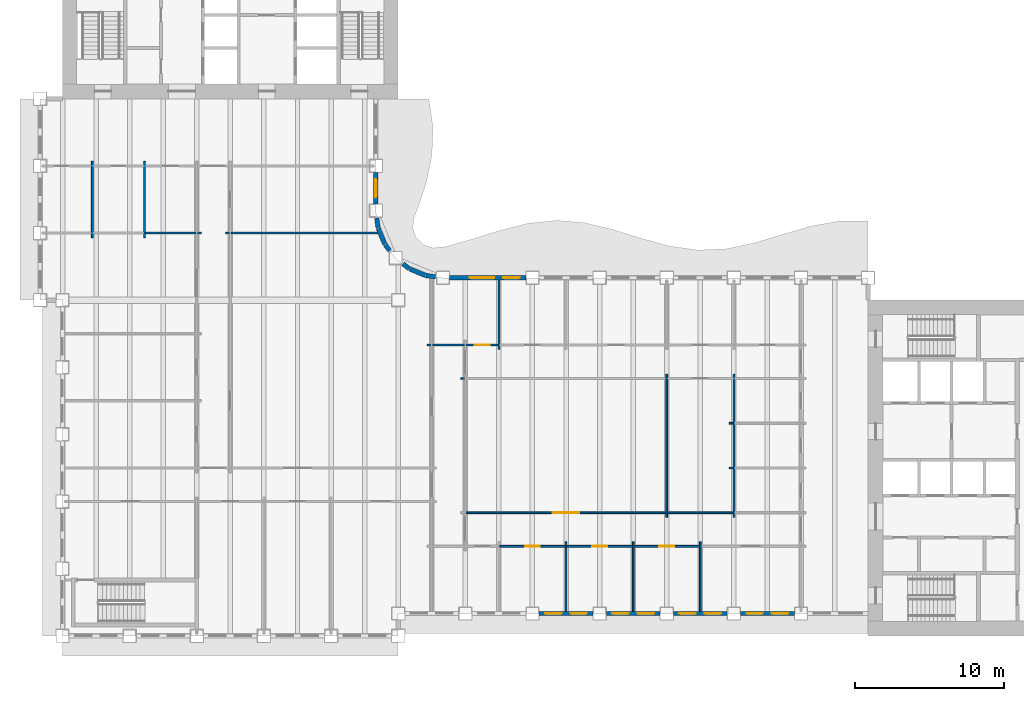
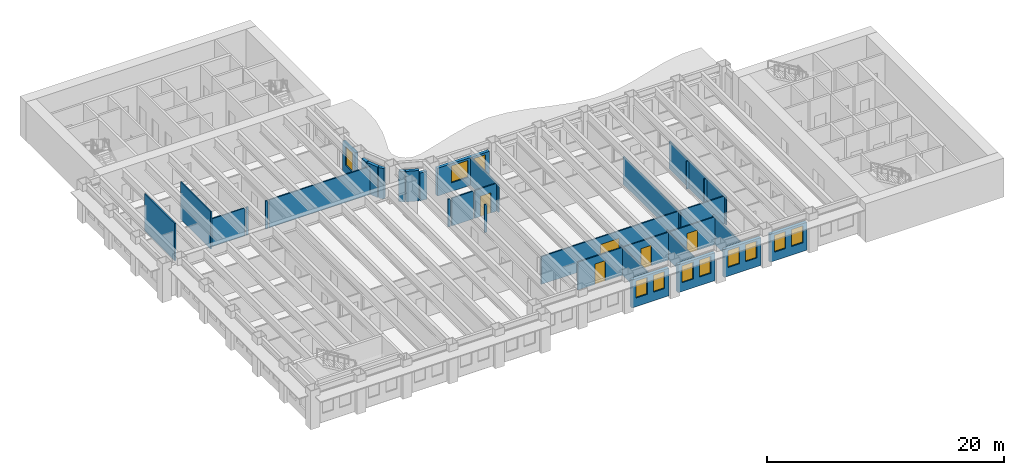
# One storey, part 5 of 16: 35 walls, 11 windows, 5 doors, 16 openings.
"""IFC4 building model written with IfcOpenShell, lengths in metres."""

from ifc_helpers import new_model, si_unit, direction, frame, frame_2d, origin, place, context, subcontext, project, spatial, rectangle, extrude, material, layer, layer_set, type_object, element, fill, save


model = new_model("IFC4")

# Units and contexts
model_context = context("Model", 3, precision=1e-05, world=origin(), true_north=direction((0.0, 1.0)))
body_context = subcontext(model_context, "Body", "Model", "MODEL_VIEW")
ifc_project = project(units=[si_unit("LENGTHUNIT", "METRE"), si_unit("AREAUNIT", "SQUARE_METRE"), si_unit("VOLUMEUNIT", "CUBIC_METRE"), si_unit("PLANEANGLEUNIT", "RADIAN"), si_unit("MASSUNIT", "GRAM", prefix="KILO")], contexts=[model_context])

# Site, building, storey
site_placement = place(None, origin())
site = spatial("IfcSite", under=ifc_project, at=site_placement, CompositionType="ELEMENT")
building_placement = place(site_placement, origin())
building = spatial("IfcBuilding", under=site, at=building_placement, Name="Sennacour Bend Tower", CompositionType="ELEMENT")
storey_placement = place(building_placement, frame((0.0, 0.0, 159.0)))
storey = spatial("IfcBuildingStorey", under=building, at=storey_placement, Name="L36", CompositionType="ELEMENT", Elevation=159.0)

# Walls
ifc_material_1 = material(Name="Plasterboard partition on steel studs", Category="steel")
ifc_layer_1 = layer(ifc_material_1, 0.1201171875, Name="Plasterboard partition on steel studs", Category="steel")
ifc_layer_set_1 = layer_set([ifc_layer_1], Name="Plasterboard partition on steel studs")
wall_type_1 = type_object("IfcWallType", Name="Partition 120", PredefinedType="PARTITIONING", material=ifc_layer_set_1)
for number, where, z_axis, x_axis, name in (
    (1, (2.0, 26.699951171875, 0.0), (0.0, 0.0, 1.0), (0.0, 1.0, 0.0), "P-L36-W004a"),
    (2, (5.5, 26.699951171875, 0.0), (0.0, 0.0, 1.0), (0.0, 1.0, 0.0), "P-L36-W007a"),
):
    element("IfcWall", number, at=place(storey_placement, frame(where, z_axis=z_axis, x_axis=x_axis)), inside=storey, type_object=wall_type_1, Name=name, PredefinedType="PARTITIONING", context=body_context, shape_type="SweptSolid", body=[
        extrude(rectangle(XDim=5.10009765625, YDim=0.1201171875, at=frame_2d((2.550048828125, 0.0))), origin(), (0.0, 0.0, 1.0), 3.85009765625),
    ])
for number, where, z_axis, x_axis, name in (
    (3, (29.25, 19.199951171875, 0.0), (0.0, 0.0, 1.0), (0.0, 1.0, 0.0), "P-L36-W027a"),
    (4, (33.75, 1.64990234375, 0.0), (0.0, 0.0, 1.0), (0.0, 1.0, 0.0), "P-L36-W028a"),
    (5, (38.25, 1.64990234375, 0.0), (0.0, 0.0, 1.0), (0.0, 1.0, 0.0), "P-L36-W030a"),
):
    element("IfcWall", number, at=place(storey_placement, frame(where, z_axis=z_axis, x_axis=x_axis)), inside=storey, type_object=wall_type_1, Name=name, PredefinedType="PARTITIONING", context=body_context, shape_type="SweptSolid", body=[
        extrude(rectangle(XDim=4.650146484375, YDim=0.1201171875, at=frame_2d((2.3251953125, 0.0))), origin(), (0.0, 0.0, 1.0), 2.8701171875),
    ])
wall_1_placement = place(storey_placement, frame((40.5, 7.949951171875, 0.0), z_axis=(0.0, 0.0, 1.0), x_axis=(0.0, 1.0, 0.0)))
element("IfcWall", 6, at=wall_1_placement, inside=storey, type_object=wall_type_1, Name="P-L36-W031a", PredefinedType="PARTITIONING", context=body_context, shape_type="SweptSolid", body=[
    extrude(rectangle(XDim=9.60009765625, YDim=0.1201171875, at=frame_2d((4.800048828125, 0.0))), origin(), (0.0, 0.0, 1.0), 2.8701171875),
])
wall_2_placement = place(storey_placement, frame((42.75, 1.64990234375, 0.0), z_axis=(0.0, 0.0, 1.0), x_axis=(0.0, 1.0, 0.0)))
element("IfcWall", 7, at=wall_2_placement, inside=storey, type_object=wall_type_1, Name="P-L36-W033a", PredefinedType="PARTITIONING", context=body_context, shape_type="SweptSolid", body=[
    extrude(rectangle(XDim=4.650146484375, YDim=0.1201171875, at=frame_2d((2.3251953125, 0.0))), origin(), (0.0, 0.0, 1.0), 2.8701171875),
])
wall_3_placement = place(storey_placement, frame((45.0, 7.949951171875, 0.0), z_axis=(0.0, 0.0, 1.0), x_axis=(0.0, 1.0, 0.0)))
element("IfcWall", 8, at=wall_3_placement, inside=storey, type_object=wall_type_1, Name="P-L36-W034a", PredefinedType="PARTITIONING", context=body_context, shape_type="SweptSolid", body=[
    extrude(rectangle(XDim=9.60009765625, YDim=0.1201171875, at=frame_2d((4.800048828125, 0.0))), origin(), (0.0, 0.0, 1.0), 2.8701171875),
])

# Wall, opening, door
wall_4_placement = place(storey_placement, frame((29.31005859375, 6.0, 0.0), z_axis=(0.0, 0.0, 1.0), x_axis=(1.0, 0.0, 0.0)))
wall_4 = element("IfcWall", 9, at=wall_4_placement, inside=storey, type_object=wall_type_1, Name="P-L36-W058ad", PredefinedType="PARTITIONING", context=body_context, shape_type="SweptSolid", body=[
    extrude(rectangle(XDim=4.3798828125, YDim=0.1201171875, at=frame_2d((2.18994140625, 0.0))), origin(), (0.0, 0.0, 1.0), 2.8701171875),
])
opening_1_placement = place(wall_4_placement, frame((1.68994140625, 0.0, 0.0)))
opening_1 = element("IfcOpeningElement", 10, at=opening_1_placement, cuts=wall_4, Name="Opening OD2", PredefinedType="OPENING", context=body_context, shape_type="SweptSolid", body=[
    extrude(rectangle(XDim=1.0, YDim=2.10009765625, at=frame_2d((0.5, 1.050048828125))), frame((0.0, 0.070068359375, 0.0), z_axis=(0.0, -1.0, 0.0), x_axis=(1.0, 0.0, 0.0)), (0.0, 0.0, 1.0), 0.14013671875),
])
ifc_material_2 = material(Name="Timber", Category="wood")
door_type_1 = type_object("IfcDoorType", Name="DR-OFFICE-1000", OperationType="NOTDEFINED", PredefinedType="DOOR", material=ifc_material_2)
door_1_placement = place(opening_1_placement, origin())
door_1 = element("IfcDoor", 11, at=door_1_placement, inside=storey, type_object=door_type_1, Name="Door", OperationType="SINGLE_SWING_LEFT", OverallHeight=2.10009765625, OverallWidth=1.0, PredefinedType="DOOR", context=body_context, shape_type="SweptSolid", body=[
    extrude(rectangle(XDim=1.0, YDim=2.10009765625, at=frame_2d((0.5, 1.050048828125))), frame((0.0, 0.02490234375, 0.0), z_axis=(0.0, -1.0, 0.0), x_axis=(1.0, 0.0, 0.0)), (0.0, 0.0, 1.0), 0.050048828125),
])
fill(opening_1, door_1)

wall_5_placement = place(storey_placement, frame((33.81005859375, 6.0, 0.0), z_axis=(0.0, 0.0, 1.0), x_axis=(1.0, 0.0, 0.0)))
wall_5 = element("IfcWall", 12, at=wall_5_placement, inside=storey, type_object=wall_type_1, Name="P-L36-W058ae", PredefinedType="PARTITIONING", context=body_context, shape_type="SweptSolid", body=[
    extrude(rectangle(XDim=4.3798828125, YDim=0.1201171875, at=frame_2d((2.18994140625, 0.0))), origin(), (0.0, 0.0, 1.0), 2.8701171875),
])
opening_2_placement = place(wall_5_placement, frame((1.68994140625, 0.0, 0.0)))
opening_2 = element("IfcOpeningElement", 13, at=opening_2_placement, cuts=wall_5, Name="Opening OD2", PredefinedType="OPENING", context=body_context, shape_type="SweptSolid", body=[
    extrude(rectangle(XDim=1.0, YDim=2.10009765625, at=frame_2d((0.5, 1.050048828125))), frame((0.0, 0.070068359375, 0.0), z_axis=(0.0, -1.0, 0.0), x_axis=(1.0, 0.0, 0.0)), (0.0, 0.0, 1.0), 0.14013671875),
])
door_2_placement = place(opening_2_placement, origin())
door_2 = element("IfcDoor", 14, at=door_2_placement, inside=storey, type_object=door_type_1, Name="Door", OperationType="SINGLE_SWING_LEFT", OverallHeight=2.10009765625, OverallWidth=1.0, PredefinedType="DOOR", context=body_context, shape_type="SweptSolid", body=[
    extrude(rectangle(XDim=1.0, YDim=2.10009765625, at=frame_2d((0.5, 1.050048828125))), frame((0.0, 0.02490234375, 0.0), z_axis=(0.0, -1.0, 0.0), x_axis=(1.0, 0.0, 0.0)), (0.0, 0.0, 1.0), 0.050048828125),
])
fill(opening_2, door_2)

wall_6_placement = place(storey_placement, frame((38.31005859375, 6.0, 0.0), z_axis=(0.0, 0.0, 1.0), x_axis=(1.0, 0.0, 0.0)))
wall_6 = element("IfcWall", 15, at=wall_6_placement, inside=storey, type_object=wall_type_1, Name="P-L36-W058af", PredefinedType="PARTITIONING", context=body_context, shape_type="SweptSolid", body=[
    extrude(rectangle(XDim=4.3798828125, YDim=0.1201171875, at=frame_2d((2.18994140625, 0.0))), origin(), (0.0, 0.0, 1.0), 2.8701171875),
])
opening_3_placement = place(wall_6_placement, frame((1.68994140625, 0.0, 0.0)))
opening_3 = element("IfcOpeningElement", 16, at=opening_3_placement, cuts=wall_6, Name="Opening OD2", PredefinedType="OPENING", context=body_context, shape_type="SweptSolid", body=[
    extrude(rectangle(XDim=1.0, YDim=2.10009765625, at=frame_2d((0.5, 1.050048828125))), frame((0.0, 0.070068359375, 0.0), z_axis=(0.0, -1.0, 0.0), x_axis=(1.0, 0.0, 0.0)), (0.0, 0.0, 1.0), 0.14013671875),
])
door_3_placement = place(opening_3_placement, origin())
door_3 = element("IfcDoor", 17, at=door_3_placement, inside=storey, type_object=door_type_1, Name="Door", OperationType="SINGLE_SWING_LEFT", OverallHeight=2.10009765625, OverallWidth=1.0, PredefinedType="DOOR", context=body_context, shape_type="SweptSolid", body=[
    extrude(rectangle(XDim=1.0, YDim=2.10009765625, at=frame_2d((0.5, 1.050048828125))), frame((0.0, 0.02490234375, 0.0), z_axis=(0.0, -1.0, 0.0), x_axis=(1.0, 0.0, 0.0)), (0.0, 0.0, 1.0), 0.050048828125),
])
fill(opening_3, door_3)

wall_7_placement = place(storey_placement, frame((27.06005859375, 8.25, 0.0), z_axis=(0.0, 0.0, 1.0), x_axis=(1.0, 0.0, 0.0)))
wall_7 = element("IfcWall", 18, at=wall_7_placement, inside=storey, type_object=wall_type_1, Name="P-L36-W060ab", PredefinedType="PARTITIONING", context=body_context, shape_type="SweptSolid", body=[
    extrude(rectangle(XDim=13.3798828125, YDim=0.1201171875, at=frame_2d((6.68994140625, 0.0))), origin(), (0.0, 0.0, 1.0), 2.8701171875),
])
opening_4_placement = place(wall_7_placement, frame((5.789794921875, 0.0, 0.0)))
opening_4 = element("IfcOpeningElement", 19, at=opening_4_placement, cuts=wall_7, Name="Opening OD3", PredefinedType="OPENING", context=body_context, shape_type="SweptSolid", body=[
    extrude(rectangle(XDim=1.800048828125, YDim=2.10009765625, at=frame_2d((0.89990234375, 1.050048828125))), frame((0.0, 0.070068359375, 0.0), z_axis=(0.0, -1.0, 0.0), x_axis=(1.0, 0.0, 0.0)), (0.0, 0.0, 1.0), 0.14013671875),
])
door_type_2 = type_object("IfcDoorType", Name="DR-OFFICE-1800", OperationType="NOTDEFINED", PredefinedType="DOOR", material=ifc_material_2)
door_4_placement = place(opening_4_placement, origin())
door_4 = element("IfcDoor", 20, at=door_4_placement, inside=storey, type_object=door_type_2, Name="Door", OperationType="DOUBLE_DOOR_SINGLE_SWING", OverallHeight=2.10009765625, OverallWidth=1.800048828125, PredefinedType="DOOR", context=body_context, shape_type="SweptSolid", body=[
    extrude(rectangle(XDim=1.800048828125, YDim=2.10009765625, at=frame_2d((0.89990234375, 1.050048828125))), frame((0.0, 0.02490234375, 0.0), z_axis=(0.0, -1.0, 0.0), x_axis=(1.0, 0.0, 0.0)), (0.0, 0.0, 1.0), 0.050048828125),
])
fill(opening_4, door_4)

# Walls
wall_8_placement = place(storey_placement, frame((40.56005859375, 8.25, 0.0), z_axis=(0.0, 0.0, 1.0), x_axis=(1.0, 0.0, 0.0)))
element("IfcWall", 21, at=wall_8_placement, inside=storey, type_object=wall_type_1, Name="P-L36-W060ac", PredefinedType="PARTITIONING", context=body_context, shape_type="SweptSolid", body=[
    extrude(rectangle(XDim=4.3798828125, YDim=0.1201171875, at=frame_2d((2.18994140625, 0.0))), origin(), (0.0, 0.0, 1.0), 2.8701171875),
])
for number, where, z_axis, x_axis, name in (
    (22, (44.699951171875, 11.25, 0.0), (0.0, 0.0, 1.0), (1.0, 0.0, 0.0), "P-L36-W064aa"),
    (23, (44.699951171875, 14.25, 0.0), (0.0, 0.0, 1.0), (1.0, 0.0, 0.0), "P-L36-W066aa"),
    (24, (26.699951171875, 17.25, 0.0), (0.0, 0.0, 1.0), (1.0, 0.0, 0.0), "P-L36-W070aa"),
    (25, (24.449951171875, 19.5, 0.0), (0.0, 0.0, 1.0), (1.0, 0.0, 0.0), "P-L36-W074aa"),
):
    element("IfcWall", number, at=place(storey_placement, frame(where, z_axis=z_axis, x_axis=x_axis)), inside=storey, type_object=wall_type_1, Name=name, PredefinedType="PARTITIONING", context=body_context, shape_type="SweptSolid", body=[
        extrude(rectangle(XDim=0.239990234375, YDim=0.1201171875, at=frame_2d((0.1201171875, 0.0))), origin(), (0.0, 0.0, 1.0), 2.8701171875),
    ])
wall_9_placement = place(storey_placement, frame((24.81005859375, 19.5, 0.0), z_axis=(0.0, 0.0, 1.0), x_axis=(1.0, 0.0, 0.0)))
element("IfcWall", 26, at=wall_9_placement, inside=storey, type_object=wall_type_1, Name="P-L36-W074ab", PredefinedType="PARTITIONING", context=body_context, shape_type="SweptSolid", body=[
    extrude(rectangle(XDim=2.1298828125, YDim=0.1201171875, at=frame_2d((1.06494140625, 0.0))), origin(), (0.0, 0.0, 1.0), 2.8701171875),
])

# Wall, opening, door
wall_10_placement = place(storey_placement, frame((27.06005859375, 19.5, 0.0), z_axis=(0.0, 0.0, 1.0), x_axis=(1.0, 0.0, 0.0)))
wall_10 = element("IfcWall", 27, at=wall_10_placement, inside=storey, type_object=wall_type_1, Name="P-L36-W074ac", PredefinedType="PARTITIONING", context=body_context, shape_type="SweptSolid", body=[
    extrude(rectangle(XDim=2.1298828125, YDim=0.1201171875, at=frame_2d((1.06494140625, 0.0))), origin(), (0.0, 0.0, 1.0), 2.8701171875),
])
opening_5_placement = place(wall_10_placement, frame((0.56494140625, 0.0, 0.0)))
opening_5 = element("IfcOpeningElement", 28, at=opening_5_placement, cuts=wall_10, Name="Opening OD2", PredefinedType="OPENING", context=body_context, shape_type="SweptSolid", body=[
    extrude(rectangle(XDim=1.0, YDim=2.10009765625, at=frame_2d((0.5, 1.050048828125))), frame((0.0, 0.070068359375, 0.0), z_axis=(0.0, -1.0, 0.0), x_axis=(1.0, 0.0, 0.0)), (0.0, 0.0, 1.0), 0.14013671875),
])
door_5_placement = place(opening_5_placement, origin())
door_5 = element("IfcDoor", 29, at=door_5_placement, inside=storey, type_object=door_type_1, Name="Door", OperationType="SINGLE_SWING_LEFT", OverallHeight=2.10009765625, OverallWidth=1.0, PredefinedType="DOOR", context=body_context, shape_type="SweptSolid", body=[
    extrude(rectangle(XDim=1.0, YDim=2.10009765625, at=frame_2d((0.5, 1.050048828125))), frame((0.0, 0.02490234375, 0.0), z_axis=(0.0, -1.0, 0.0), x_axis=(1.0, 0.0, 0.0)), (0.0, 0.0, 1.0), 0.050048828125),
])
fill(opening_5, door_5)

# Walls
wall_11_placement = place(storey_placement, frame((5.56005859375, 27.0, 0.0), z_axis=(0.0, 0.0, 1.0), x_axis=(1.0, 0.0, 0.0)))
element("IfcWall", 30, at=wall_11_placement, inside=storey, type_object=wall_type_1, Name="P-L36-W077ac", PredefinedType="PARTITIONING", context=body_context, shape_type="SweptSolid", body=[
    extrude(rectangle(XDim=3.3798828125, YDim=0.1201171875, at=frame_2d((1.68994140625, 0.0))), origin(), (0.0, 0.0, 1.0), 2.8701171875),
])
for number, where, z_axis, x_axis, name in (
    (31, (9.06005859375, 27.0, 0.0), (0.0, 0.0, 1.0), (1.0, 0.0, 0.0), "P-L36-W077ad"),
    (32, (10.949951171875, 27.0, 0.0), (0.0, 0.0, 1.0), (1.0, 0.0, 0.0), "P-L36-W078aa"),
):
    element("IfcWall", number, at=place(storey_placement, frame(where, z_axis=z_axis, x_axis=x_axis)), inside=storey, type_object=wall_type_1, Name=name, PredefinedType="PARTITIONING", context=body_context, shape_type="SweptSolid", body=[
        extrude(rectangle(XDim=0.239990234375, YDim=0.1201171875, at=frame_2d((0.1201171875, 0.0))), origin(), (0.0, 0.0, 1.0), 2.8701171875),
    ])
wall_12_placement = place(storey_placement, frame((11.31005859375, 27.0, 0.0), z_axis=(0.0, 0.0, 1.0), x_axis=(1.0, 0.0, 0.0)))
element("IfcWall", 33, at=wall_12_placement, inside=storey, type_object=wall_type_1, Name="P-L36-W078ab", PredefinedType="PARTITIONING", context=body_context, shape_type="SweptSolid", body=[
    extrude(rectangle(XDim=9.81982421875, YDim=0.1201171875, at=frame_2d((4.909912109375, 0.0))), origin(), (0.0, 0.0, 1.0), 2.8701171875),
])

# Wall, openings, windows
ifc_material_3 = material(Name="Warm limestone cladding", Category="masonry")
ifc_layer_2 = layer(ifc_material_3, 0.050048828125, Name="Warm limestone cladding", Category="masonry")
ifc_material_4 = material(Name="Precast concrete C40/50", Category="concrete")
ifc_layer_3 = layer(ifc_material_4, 0.25, Name="Precast concrete C40/50", Category="concrete")
ifc_layer_set_2 = layer_set([ifc_layer_2, ifc_layer_3], Name="Precast concrete C40/50 with limestone cladding")
wall_type_2 = type_object("IfcWallType", Name="STONE-CLAD PRECAST SPANDREL 300", PredefinedType="STANDARD", material=ifc_layer_set_2)
wall_13_placement = place(storey_placement, frame((31.949951171875, 1.5, 0.0), z_axis=(0.0, 0.0, 1.0), x_axis=(1.0, 0.0, 0.0)))
wall_13 = element("IfcWall", 34, at=wall_13_placement, inside=storey, type_object=wall_type_2, Name="Stone spandrel and pier wall L36 02.02", PredefinedType="STANDARD", context=body_context, shape_type="SweptSolid", body=[
    extrude(rectangle(XDim=3.60009765625, YDim=0.300048828125, at=frame_2d((1.800048828125, 0.0))), origin(), (0.0, 0.0, 1.0), 2.8701171875),
])
opening_6_placement = place(wall_13_placement, frame((0.39990234375, 0.0, 0.89990234375)))
opening_6 = element("IfcOpeningElement", 35, at=opening_6_placement, cuts=wall_13, Name="Opening W17", PredefinedType="OPENING", context=body_context, shape_type="SweptSolid", body=[
    extrude(rectangle(XDim=1.10009765625, YDim=1.75, at=frame_2d((0.550048828125, 0.875))), frame((0.0, 0.16015625, 0.0), z_axis=(0.0, -1.0, 0.0), x_axis=(1.0, 0.0, 0.0)), (0.0, 0.0, 1.0), 0.320068359375),
])
opening_7_placement = place(wall_13_placement, frame((2.10009765625, 0.0, 0.89990234375)))
opening_7 = element("IfcOpeningElement", 36, at=opening_7_placement, cuts=wall_13, Name="Opening W17", PredefinedType="OPENING", context=body_context, shape_type="SweptSolid", body=[
    extrude(rectangle(XDim=1.10009765625, YDim=1.75, at=frame_2d((0.550048828125, 0.875))), frame((0.0, 0.16015625, 0.0), z_axis=(0.0, -1.0, 0.0), x_axis=(1.0, 0.0, 0.0)), (0.0, 0.0, 1.0), 0.320068359375),
])
ifc_material_5 = material(Name="Clear low-emissivity glass", Category="glass")
window_type_1 = type_object("IfcWindowType", Name="WIN-RIBBON-1100x1750", PartitioningType="SINGLE_PANEL", PredefinedType="WINDOW", material=ifc_material_5)
window_1_placement = place(opening_6_placement, origin())
window_1 = element("IfcWindow", 37, at=window_1_placement, inside=storey, type_object=window_type_1, Name="Ribbon window L36 02.02.0", OverallHeight=1.75, OverallWidth=1.10009765625, PartitioningType="SINGLE_PANEL", PredefinedType="WINDOW", context=body_context, shape_type="SweptSolid", body=[
    extrude(rectangle(XDim=1.10009765625, YDim=1.75, at=frame_2d((0.550048828125, 0.875))), frame((0.0, 0.030029296875, 0.0), z_axis=(0.0, -1.0, 0.0), x_axis=(1.0, 0.0, 0.0)), (0.0, 0.0, 1.0), 0.06005859375),
])
fill(opening_6, window_1)
window_2_placement = place(opening_7_placement, origin())
window_2 = element("IfcWindow", 38, at=window_2_placement, inside=storey, type_object=window_type_1, Name="Ribbon window L36 02.02.1", OverallHeight=1.75, OverallWidth=1.10009765625, PartitioningType="SINGLE_PANEL", PredefinedType="WINDOW", context=body_context, shape_type="SweptSolid", body=[
    extrude(rectangle(XDim=1.10009765625, YDim=1.75, at=frame_2d((0.550048828125, 0.875))), frame((0.0, 0.030029296875, 0.0), z_axis=(0.0, -1.0, 0.0), x_axis=(1.0, 0.0, 0.0)), (0.0, 0.0, 1.0), 0.06005859375),
])
fill(opening_7, window_2)

wall_14_placement = place(storey_placement, frame((36.449951171875, 1.5, 0.0), z_axis=(0.0, 0.0, 1.0), x_axis=(1.0, 0.0, 0.0)))
wall_14 = element("IfcWall", 39, at=wall_14_placement, inside=storey, type_object=wall_type_2, Name="Stone spandrel and pier wall L36 02.03", PredefinedType="STANDARD", context=body_context, shape_type="SweptSolid", body=[
    extrude(rectangle(XDim=3.60009765625, YDim=0.300048828125, at=frame_2d((1.800048828125, 0.0))), origin(), (0.0, 0.0, 1.0), 2.8701171875),
])
opening_8_placement = place(wall_14_placement, frame((0.39990234375, 0.0, 0.89990234375)))
opening_8 = element("IfcOpeningElement", 40, at=opening_8_placement, cuts=wall_14, Name="Opening W17", PredefinedType="OPENING", context=body_context, shape_type="SweptSolid", body=[
    extrude(rectangle(XDim=1.10009765625, YDim=1.75, at=frame_2d((0.550048828125, 0.875))), frame((0.0, 0.16015625, 0.0), z_axis=(0.0, -1.0, 0.0), x_axis=(1.0, 0.0, 0.0)), (0.0, 0.0, 1.0), 0.320068359375),
])
opening_9_placement = place(wall_14_placement, frame((2.10009765625, 0.0, 0.89990234375)))
opening_9 = element("IfcOpeningElement", 41, at=opening_9_placement, cuts=wall_14, Name="Opening W17", PredefinedType="OPENING", context=body_context, shape_type="SweptSolid", body=[
    extrude(rectangle(XDim=1.10009765625, YDim=1.75, at=frame_2d((0.550048828125, 0.875))), frame((0.0, 0.16015625, 0.0), z_axis=(0.0, -1.0, 0.0), x_axis=(1.0, 0.0, 0.0)), (0.0, 0.0, 1.0), 0.320068359375),
])
window_3_placement = place(opening_8_placement, origin())
window_3 = element("IfcWindow", 42, at=window_3_placement, inside=storey, type_object=window_type_1, Name="Ribbon window L36 02.03.0", OverallHeight=1.75, OverallWidth=1.10009765625, PartitioningType="SINGLE_PANEL", PredefinedType="WINDOW", context=body_context, shape_type="SweptSolid", body=[
    extrude(rectangle(XDim=1.10009765625, YDim=1.75, at=frame_2d((0.550048828125, 0.875))), frame((0.0, 0.030029296875, 0.0), z_axis=(0.0, -1.0, 0.0), x_axis=(1.0, 0.0, 0.0)), (0.0, 0.0, 1.0), 0.06005859375),
])
fill(opening_8, window_3)
window_4_placement = place(opening_9_placement, origin())
window_4 = element("IfcWindow", 43, at=window_4_placement, inside=storey, type_object=window_type_1, Name="Ribbon window L36 02.03.1", OverallHeight=1.75, OverallWidth=1.10009765625, PartitioningType="SINGLE_PANEL", PredefinedType="WINDOW", context=body_context, shape_type="SweptSolid", body=[
    extrude(rectangle(XDim=1.10009765625, YDim=1.75, at=frame_2d((0.550048828125, 0.875))), frame((0.0, 0.030029296875, 0.0), z_axis=(0.0, -1.0, 0.0), x_axis=(1.0, 0.0, 0.0)), (0.0, 0.0, 1.0), 0.06005859375),
])
fill(opening_9, window_4)

wall_15_placement = place(storey_placement, frame((40.949951171875, 1.5, 0.0), z_axis=(0.0, 0.0, 1.0), x_axis=(1.0, 0.0, 0.0)))
wall_15 = element("IfcWall", 44, at=wall_15_placement, inside=storey, type_object=wall_type_2, Name="Stone spandrel and pier wall L36 02.04", PredefinedType="STANDARD", context=body_context, shape_type="SweptSolid", body=[
    extrude(rectangle(XDim=3.60009765625, YDim=0.300048828125, at=frame_2d((1.800048828125, 0.0))), origin(), (0.0, 0.0, 1.0), 2.8701171875),
])
opening_10_placement = place(wall_15_placement, frame((0.39990234375, 0.0, 0.89990234375)))
opening_10 = element("IfcOpeningElement", 45, at=opening_10_placement, cuts=wall_15, Name="Opening W17", PredefinedType="OPENING", context=body_context, shape_type="SweptSolid", body=[
    extrude(rectangle(XDim=1.10009765625, YDim=1.75, at=frame_2d((0.550048828125, 0.875))), frame((0.0, 0.16015625, 0.0), z_axis=(0.0, -1.0, 0.0), x_axis=(1.0, 0.0, 0.0)), (0.0, 0.0, 1.0), 0.320068359375),
])
opening_11_placement = place(wall_15_placement, frame((2.10009765625, 0.0, 0.89990234375)))
opening_11 = element("IfcOpeningElement", 46, at=opening_11_placement, cuts=wall_15, Name="Opening W17", PredefinedType="OPENING", context=body_context, shape_type="SweptSolid", body=[
    extrude(rectangle(XDim=1.10009765625, YDim=1.75, at=frame_2d((0.550048828125, 0.875))), frame((0.0, 0.16015625, 0.0), z_axis=(0.0, -1.0, 0.0), x_axis=(1.0, 0.0, 0.0)), (0.0, 0.0, 1.0), 0.320068359375),
])
window_5_placement = place(opening_10_placement, origin())
window_5 = element("IfcWindow", 47, at=window_5_placement, inside=storey, type_object=window_type_1, Name="Ribbon window L36 02.04.0", OverallHeight=1.75, OverallWidth=1.10009765625, PartitioningType="SINGLE_PANEL", PredefinedType="WINDOW", context=body_context, shape_type="SweptSolid", body=[
    extrude(rectangle(XDim=1.10009765625, YDim=1.75, at=frame_2d((0.550048828125, 0.875))), frame((0.0, 0.030029296875, 0.0), z_axis=(0.0, -1.0, 0.0), x_axis=(1.0, 0.0, 0.0)), (0.0, 0.0, 1.0), 0.06005859375),
])
fill(opening_10, window_5)
window_6_placement = place(opening_11_placement, origin())
window_6 = element("IfcWindow", 48, at=window_6_placement, inside=storey, type_object=window_type_1, Name="Ribbon window L36 02.04.1", OverallHeight=1.75, OverallWidth=1.10009765625, PartitioningType="SINGLE_PANEL", PredefinedType="WINDOW", context=body_context, shape_type="SweptSolid", body=[
    extrude(rectangle(XDim=1.10009765625, YDim=1.75, at=frame_2d((0.550048828125, 0.875))), frame((0.0, 0.030029296875, 0.0), z_axis=(0.0, -1.0, 0.0), x_axis=(1.0, 0.0, 0.0)), (0.0, 0.0, 1.0), 0.06005859375),
])
fill(opening_11, window_6)

wall_16_placement = place(storey_placement, frame((45.449951171875, 1.5, 0.0), z_axis=(0.0, 0.0, 1.0), x_axis=(1.0, 0.0, 0.0)))
wall_16 = element("IfcWall", 49, at=wall_16_placement, inside=storey, type_object=wall_type_2, Name="Stone spandrel and pier wall L36 02.05", PredefinedType="STANDARD", context=body_context, shape_type="SweptSolid", body=[
    extrude(rectangle(XDim=3.60009765625, YDim=0.300048828125, at=frame_2d((1.800048828125, 0.0))), origin(), (0.0, 0.0, 1.0), 2.8701171875),
])
opening_12_placement = place(wall_16_placement, frame((0.39990234375, 0.0, 0.89990234375)))
opening_12 = element("IfcOpeningElement", 50, at=opening_12_placement, cuts=wall_16, Name="Opening W17", PredefinedType="OPENING", context=body_context, shape_type="SweptSolid", body=[
    extrude(rectangle(XDim=1.10009765625, YDim=1.75, at=frame_2d((0.550048828125, 0.875))), frame((0.0, 0.16015625, 0.0), z_axis=(0.0, -1.0, 0.0), x_axis=(1.0, 0.0, 0.0)), (0.0, 0.0, 1.0), 0.320068359375),
])
opening_13_placement = place(wall_16_placement, frame((2.10009765625, 0.0, 0.89990234375)))
opening_13 = element("IfcOpeningElement", 51, at=opening_13_placement, cuts=wall_16, Name="Opening W17", PredefinedType="OPENING", context=body_context, shape_type="SweptSolid", body=[
    extrude(rectangle(XDim=1.10009765625, YDim=1.75, at=frame_2d((0.550048828125, 0.875))), frame((0.0, 0.16015625, 0.0), z_axis=(0.0, -1.0, 0.0), x_axis=(1.0, 0.0, 0.0)), (0.0, 0.0, 1.0), 0.320068359375),
])
window_7_placement = place(opening_12_placement, origin())
window_7 = element("IfcWindow", 52, at=window_7_placement, inside=storey, type_object=window_type_1, Name="Ribbon window L36 02.05.0", OverallHeight=1.75, OverallWidth=1.10009765625, PartitioningType="SINGLE_PANEL", PredefinedType="WINDOW", context=body_context, shape_type="SweptSolid", body=[
    extrude(rectangle(XDim=1.10009765625, YDim=1.75, at=frame_2d((0.550048828125, 0.875))), frame((0.0, 0.030029296875, 0.0), z_axis=(0.0, -1.0, 0.0), x_axis=(1.0, 0.0, 0.0)), (0.0, 0.0, 1.0), 0.06005859375),
])
fill(opening_12, window_7)
window_8_placement = place(opening_13_placement, origin())
window_8 = element("IfcWindow", 53, at=window_8_placement, inside=storey, type_object=window_type_1, Name="Ribbon window L36 02.05.1", OverallHeight=1.75, OverallWidth=1.10009765625, PartitioningType="SINGLE_PANEL", PredefinedType="WINDOW", context=body_context, shape_type="SweptSolid", body=[
    extrude(rectangle(XDim=1.10009765625, YDim=1.75, at=frame_2d((0.550048828125, 0.875))), frame((0.0, 0.030029296875, 0.0), z_axis=(0.0, -1.0, 0.0), x_axis=(1.0, 0.0, 0.0)), (0.0, 0.0, 1.0), 0.06005859375),
])
fill(opening_13, window_8)

wall_17_placement = place(storey_placement, frame((31.050048828125, 24.0, 0.0), z_axis=(0.0, 0.0, 1.0), x_axis=(-1.0, 0.0, 0.0)))
wall_17 = element("IfcWall", 54, at=wall_17_placement, inside=storey, type_object=wall_type_2, Name="Stone spandrel and pier wall L36 08.05", PredefinedType="STANDARD", context=body_context, shape_type="SweptSolid", body=[
    extrude(rectangle(XDim=5.10009765625, YDim=0.300048828125, at=frame_2d((2.550048828125, 0.0))), origin(), (0.0, 0.0, 1.0), 2.8701171875),
])
opening_14_placement = place(wall_17_placement, frame((0.39990234375, 0.0, 0.89990234375)))
opening_14 = element("IfcOpeningElement", 55, at=opening_14_placement, cuts=wall_17, Name="Opening W17", PredefinedType="OPENING", context=body_context, shape_type="SweptSolid", body=[
    extrude(rectangle(XDim=1.10009765625, YDim=1.75, at=frame_2d((0.550048828125, 0.875))), frame((0.0, 0.16015625, 0.0), z_axis=(0.0, -1.0, 0.0), x_axis=(1.0, 0.0, 0.0)), (0.0, 0.0, 1.0), 0.320068359375),
])
opening_15_placement = place(wall_17_placement, frame((2.10009765625, 0.0, 0.89990234375)))
opening_15 = element("IfcOpeningElement", 56, at=opening_15_placement, cuts=wall_17, Name="Opening W18", PredefinedType="OPENING", context=body_context, shape_type="SweptSolid", body=[
    extrude(rectangle(XDim=1.64990234375, YDim=1.75, at=frame_2d((0.824951171875, 0.875))), frame((0.0, 0.16015625, 0.0), z_axis=(0.0, -1.0, 0.0), x_axis=(1.0, 0.0, 0.0)), (0.0, 0.0, 1.0), 0.320068359375),
])
window_9_placement = place(opening_14_placement, origin())
window_9 = element("IfcWindow", 57, at=window_9_placement, inside=storey, type_object=window_type_1, Name="Ribbon window L36 08.05.0", OverallHeight=1.75, OverallWidth=1.10009765625, PartitioningType="SINGLE_PANEL", PredefinedType="WINDOW", context=body_context, shape_type="SweptSolid", body=[
    extrude(rectangle(XDim=1.10009765625, YDim=1.75, at=frame_2d((0.550048828125, 0.875))), frame((0.0, 0.030029296875, 0.0), z_axis=(0.0, -1.0, 0.0), x_axis=(1.0, 0.0, 0.0)), (0.0, 0.0, 1.0), 0.06005859375),
])
fill(opening_14, window_9)
window_type_2 = type_object("IfcWindowType", Name="WIN-RIBBON-1650x1750", PartitioningType="SINGLE_PANEL", PredefinedType="WINDOW", material=ifc_material_5)
window_10_placement = place(opening_15_placement, origin())
window_10 = element("IfcWindow", 58, at=window_10_placement, inside=storey, type_object=window_type_2, Name="Ribbon window L36 08.05.1", OverallHeight=1.75, OverallWidth=1.64990234375, PartitioningType="SINGLE_PANEL", PredefinedType="WINDOW", context=body_context, shape_type="SweptSolid", body=[
    extrude(rectangle(XDim=1.64990234375, YDim=1.75, at=frame_2d((0.824951171875, 0.875))), frame((0.0, 0.030029296875, 0.0), z_axis=(0.0, -1.0, 0.0), x_axis=(1.0, 0.0, 0.0)), (0.0, 0.0, 1.0), 0.06005859375),
])
fill(opening_15, window_10)

# Walls
wall_18_placement = place(storey_placement, frame((24.99951171875, 24.06591796875, 0.0), z_axis=(0.0, 0.0, 1.0), x_axis=(-0.991423590996, 0.130687655177, 0.0)))
element("IfcWall", 59, at=wall_18_placement, inside=storey, type_object=wall_type_2, Name="Stone spandrel and pier wall L36 09.00", PredefinedType="STANDARD", context=body_context, shape_type="SweptSolid", body=[
    extrude(rectangle(XDim=0.650146484375, YDim=0.300048828125, at=frame_2d((0.3251953125, 0.0))), origin(), (0.0, 0.0, 1.0), 2.8701171875),
])
wall_19_placement = place(storey_placement, frame((24.317138671875, 24.160888671875, 0.0), z_axis=(0.0, 0.0, 1.0), x_axis=(-0.923914616768, 0.382598720491, 0.0)))
element("IfcWall", 60, at=wall_19_placement, inside=storey, type_object=wall_type_2, Name="Stone spandrel and pier wall L36 10.00", PredefinedType="STANDARD", context=body_context, shape_type="SweptSolid", body=[
    extrude(rectangle(XDim=1.13525390625, YDim=0.300048828125, at=frame_2d((0.567626953125, 0.0))), origin(), (0.0, 0.0, 1.0), 3.14892578125),
])
for number, where, z_axis, x_axis, name in (
    (61, (23.234375, 24.614990234375, 0.0), (0.0, 0.0, 1.0), (-0.793523857856, 0.608539141726, 0.0), "Stone spandrel and pier wall L36 11.00"),
    (62, (21.933837890625, 25.818603515625, 0.0), (0.0, 0.0, 1.0), (-0.608539141726, 0.793523857856, 0.0), "Stone spandrel and pier wall L36 12.00"),
):
    element("IfcWall", number, at=place(storey_placement, frame(where, z_axis=z_axis, x_axis=x_axis)), inside=storey, type_object=wall_type_2, Name=name, PredefinedType="STANDARD", context=body_context, shape_type="SweptSolid", body=[
        extrude(rectangle(XDim=0.52392578125, YDim=0.300048828125, at=frame_2d((0.261962890625, 0.0))), origin(), (0.0, 0.0, 1.0), 3.14892578125),
    ])
wall_20_placement = place(storey_placement, frame((21.59521484375, 26.268310546875, 0.0), z_axis=(0.0, 0.0, 1.0), x_axis=(-0.382598720491, 0.923914616768, 0.0)))
element("IfcWall", 63, at=wall_20_placement, inside=storey, type_object=wall_type_2, Name="Stone spandrel and pier wall L36 13.00", PredefinedType="STANDARD", context=body_context, shape_type="SweptSolid", body=[
    extrude(rectangle(XDim=1.13525390625, YDim=0.300048828125, at=frame_2d((0.567626953125, 0.0))), origin(), (0.0, 0.0, 1.0), 3.14892578125),
])
wall_21_placement = place(storey_placement, frame((21.15087890625, 27.35498046875, 0.0), z_axis=(0.0, 0.0, 1.0), x_axis=(-0.130687655177, 0.991423590996, 0.0)))
element("IfcWall", 64, at=wall_21_placement, inside=storey, type_object=wall_type_2, Name="Stone spandrel and pier wall L36 14.00", PredefinedType="STANDARD", context=body_context, shape_type="SweptSolid", body=[
    extrude(rectangle(XDim=0.650146484375, YDim=0.300048828125, at=frame_2d((0.3251953125, 0.0))), origin(), (0.0, 0.0, 1.0), 3.14892578125),
])

# Wall, opening, window
wall_22_placement = place(storey_placement, frame((21.0, 28.949951171875, 0.0), z_axis=(0.0, 0.0, 1.0), x_axis=(0.0, 1.0, 0.0)))
wall_22 = element("IfcWall", 65, at=wall_22_placement, inside=storey, type_object=wall_type_2, Name="Stone spandrel and pier wall L36 15.00", PredefinedType="STANDARD", context=body_context, shape_type="SweptSolid", body=[
    extrude(rectangle(XDim=2.10009765625, YDim=0.300048828125, at=frame_2d((1.050048828125, 0.0))), origin(), (0.0, 0.0, 1.0), 3.14892578125),
])
opening_16_placement = place(wall_22_placement, frame((0.449951171875, 0.0, 0.89990234375)))
opening_16 = element("IfcOpeningElement", 66, at=opening_16_placement, cuts=wall_22, Name="Opening W14", PredefinedType="OPENING", context=body_context, shape_type="SweptSolid", body=[
    extrude(rectangle(XDim=1.199951171875, YDim=2.0, at=frame_2d((0.60009765625, 1.0))), frame((0.0, 0.16015625, 0.0), z_axis=(0.0, -1.0, 0.0), x_axis=(1.0, 0.0, 0.0)), (0.0, 0.0, 1.0), 0.320068359375),
])
window_type_3 = type_object("IfcWindowType", Name="WIN-RIBBON-1200x2000", PartitioningType="SINGLE_PANEL", PredefinedType="WINDOW", material=ifc_material_5)
window_11_placement = place(opening_16_placement, origin())
window_11 = element("IfcWindow", 67, at=window_11_placement, inside=storey, type_object=window_type_3, Name="Ribbon window L36 15.00", OverallHeight=2.0, OverallWidth=1.199951171875, PartitioningType="SINGLE_PANEL", PredefinedType="WINDOW", context=body_context, shape_type="SweptSolid", body=[
    extrude(rectangle(XDim=1.199951171875, YDim=2.0, at=frame_2d((0.60009765625, 1.0))), frame((0.0, 0.030029296875, 0.0), z_axis=(0.0, -1.0, 0.0), x_axis=(1.0, 0.0, 0.0)), (0.0, 0.0, 1.0), 0.06005859375),
])
fill(opening_16, window_11)

save(model, "model.ifc")
